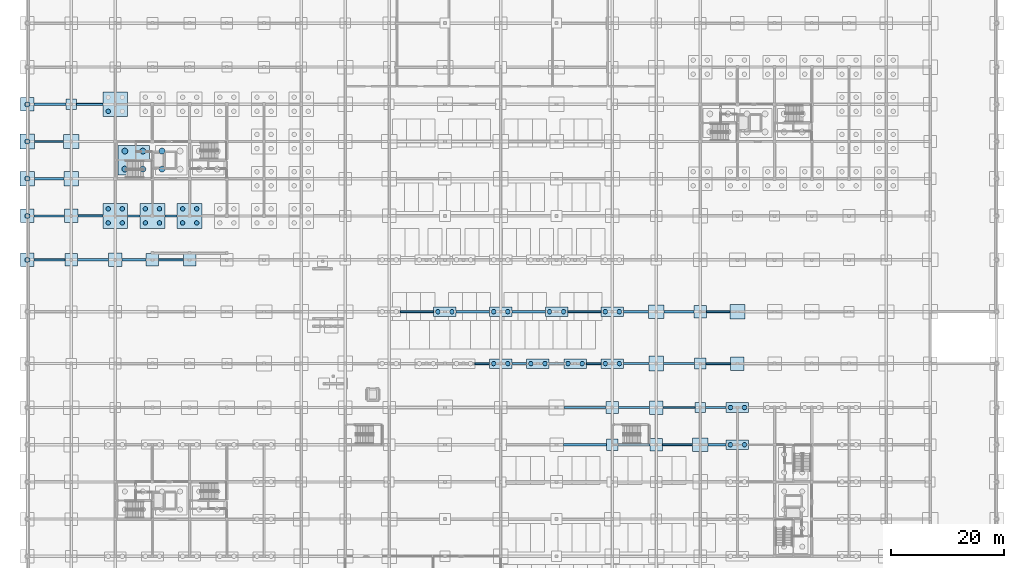
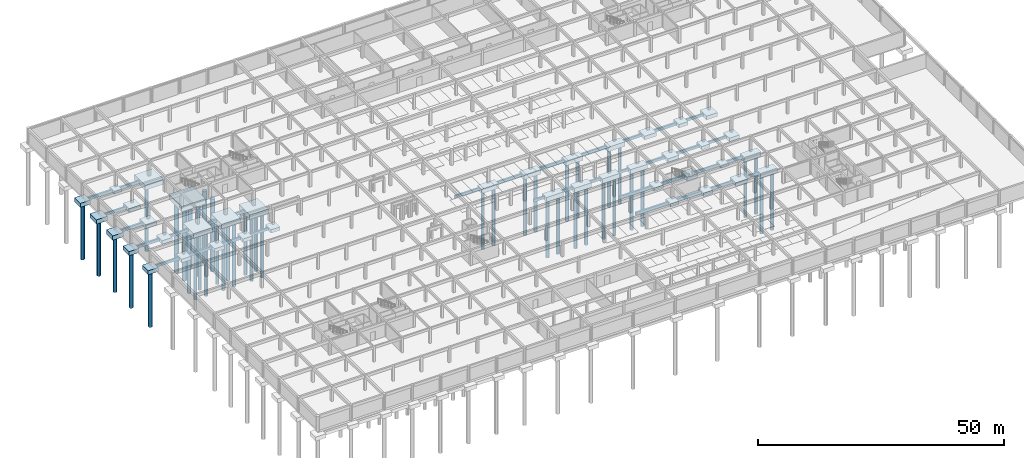
# One storey, part 4 of 37: 74 footings, 44 piles.
"""IFC4 building model written with IfcOpenShell, lengths in metres."""

from ifc_helpers import new_model, si_unit, direction, frame, origin, origin_2d, place, context, subcontext, project, spatial, rectangle, circle, extrude, material, material_profile, profile_set, type_object, element, save


model = new_model("IFC4")

# Units and contexts
model_context = context("Model", 3, precision=1e-05, world=origin(), true_north=direction((0.0, 1.0)))
body_context = subcontext(model_context, "Body", "Model", "MODEL_VIEW")
ifc_project = project(units=[si_unit("LENGTHUNIT", "METRE"), si_unit("AREAUNIT", "SQUARE_METRE"), si_unit("VOLUMEUNIT", "CUBIC_METRE"), si_unit("PLANEANGLEUNIT", "RADIAN"), si_unit("MASSUNIT", "GRAM", prefix="KILO")], contexts=[model_context])

# Site, building, storey
site_placement = place(None, origin())
site = spatial("IfcSite", under=ifc_project, at=site_placement, CompositionType="ELEMENT")
building_placement = place(site_placement, origin())
building = spatial("IfcBuilding", under=site, at=building_placement, Name="Kernevlak Ridge Housing Community", CompositionType="ELEMENT")
storey_placement = place(building_placement, frame((0.0, 0.0, -3.800048828125)))
storey = spatial("IfcBuildingStorey", under=building, at=storey_placement, Name="B1", CompositionType="ELEMENT", Elevation=-3.800048828125)

# Piles
ifc_material = material(Name="Concrete C35/45", Category="concrete")
ifc_material_profile_1 = material_profile(ifc_material, circle(Radius=0.39990234375, at=origin_2d()), Name="BORED PILE 800")
ifc_profile_set_1 = profile_set([ifc_material_profile_1], Name="Concrete C35/45")
pile_type_1 = type_object("IfcPileType", Name="BP-01", PredefinedType="BORED", material=ifc_profile_set_1)
for number, where, z_axis, x_axis, name in (
    (1, (14.35009765625, 74.75, -1.599853515625), (0.0, 0.0, -1.0), (1.0, 0.0, 0.0), "Bored pile BP-01 PILE-0073"),
    (2, (16.85009765625, 74.75, -1.599853515625), (0.0, 0.0, -1.0), (1.0, 0.0, 0.0), "Bored pile BP-01 PILE-0074"),
    (3, (14.35009765625, 77.25, -1.599853515625), (0.0, 0.0, -1.0), (1.0, 0.0, 0.0), "Bored pile BP-01 PILE-0075"),
    (4, (16.85009765625, 77.25, -1.599853515625), (0.0, 0.0, -1.0), (1.0, 0.0, 0.0), "Bored pile BP-01 PILE-0076"),
    (5, (14.35009765625, 94.550048828125, -1.599853515625), (0.0, 0.0, -1.0), (1.0, 0.0, 0.0), "Bored pile BP-01 PILE-0077"),
    (6, (20.949951171875, 74.75, -1.599853515625), (0.0, 0.0, -1.0), (1.0, 0.0, 0.0), "Bored pile BP-01 PILE-0087"),
    (7, (23.449951171875, 74.75, -1.599853515625), (0.0, 0.0, -1.0), (1.0, 0.0, 0.0), "Bored pile BP-01 PILE-0088"),
    (8, (20.949951171875, 77.25, -1.599853515625), (0.0, 0.0, -1.0), (1.0, 0.0, 0.0), "Bored pile BP-01 PILE-0089"),
    (9, (23.449951171875, 77.25, -1.599853515625), (0.0, 0.0, -1.0), (1.0, 0.0, 0.0), "Bored pile BP-01 PILE-0090"),
    (10, (27.550048828125, 74.75, -1.599853515625), (0.0, 0.0, -1.0), (1.0, 0.0, 0.0), "Bored pile BP-01 PILE-0101"),
    (11, (30.050048828125, 74.75, -1.599853515625), (0.0, 0.0, -1.0), (1.0, 0.0, 0.0), "Bored pile BP-01 PILE-0102"),
    (12, (27.550048828125, 77.25, -1.599853515625), (0.0, 0.0, -1.0), (1.0, 0.0, 0.0), "Bored pile BP-01 PILE-0103"),
    (13, (30.050048828125, 77.25, -1.599853515625), (0.0, 0.0, -1.0), (1.0, 0.0, 0.0), "Bored pile BP-01 PILE-0104"),
):
    element("IfcPile", number, at=place(storey_placement, frame(where, z_axis=z_axis, x_axis=x_axis)), inside=storey, type_object=pile_type_1, Name=name, PredefinedType="BORED", context=body_context, shape_type="SweptSolid", body=[
        extrude(circle(Radius=0.39990234375, at=origin_2d()), origin(), (0.0, 0.0, 1.0), 16.0),
    ])
for number, where, z_axis, x_axis, name in (
    (14, (72.85009765625, 59.0, -1.5), (0.0, 0.0, -1.0), (1.0, 0.0, 0.0), "Bored pile BP-01 PILE-0183"),
    (15, (75.35009765625, 59.0, -1.5), (0.0, 0.0, -1.0), (1.0, 0.0, 0.0), "Bored pile BP-01 PILE-0184"),
    (16, (82.75, 49.800048828125, -1.5), (0.0, 0.0, -1.0), (1.0, 0.0, 0.0), "Bored pile BP-01 PILE-0191"),
    (17, (85.25, 49.800048828125, -1.5), (0.0, 0.0, -1.0), (1.0, 0.0, 0.0), "Bored pile BP-01 PILE-0192"),
    (18, (82.75, 59.0, -1.5), (0.0, 0.0, -1.0), (1.0, 0.0, 0.0), "Bored pile BP-01 PILE-0193"),
    (19, (85.25, 59.0, -1.5), (0.0, 0.0, -1.0), (1.0, 0.0, 0.0), "Bored pile BP-01 PILE-0194"),
    (20, (89.35009765625, 49.800048828125, -1.5), (0.0, 0.0, -1.0), (1.0, 0.0, 0.0), "Bored pile BP-01 PILE-0198"),
    (21, (91.85009765625, 49.800048828125, -1.5), (0.0, 0.0, -1.0), (1.0, 0.0, 0.0), "Bored pile BP-01 PILE-0199"),
    (22, (92.64990234375, 59.0, -1.5), (0.0, 0.0, -1.0), (1.0, 0.0, 0.0), "Bored pile BP-01 PILE-0203"),
    (23, (95.14990234375, 59.0, -1.5), (0.0, 0.0, -1.0), (1.0, 0.0, 0.0), "Bored pile BP-01 PILE-0204"),
    (24, (95.949951171875, 49.800048828125, -1.5), (0.0, 0.0, -1.0), (1.0, 0.0, 0.0), "Bored pile BP-01 PILE-0206"),
    (25, (98.449951171875, 49.800048828125, -1.5), (0.0, 0.0, -1.0), (1.0, 0.0, 0.0), "Bored pile BP-01 PILE-0207"),
    (26, (102.550048828125, 49.800048828125, -1.5), (0.0, 0.0, -1.0), (1.0, 0.0, 0.0), "Bored pile BP-01 PILE-0211"),
    (27, (105.050048828125, 49.800048828125, -1.5), (0.0, 0.0, -1.0), (1.0, 0.0, 0.0), "Bored pile BP-01 PILE-0212"),
    (28, (102.550048828125, 59.0, -1.5), (0.0, 0.0, -1.0), (1.0, 0.0, 0.0), "Bored pile BP-01 PILE-0213"),
    (29, (105.050048828125, 59.0, -1.5), (0.0, 0.0, -1.0), (1.0, 0.0, 0.0), "Bored pile BP-01 PILE-0214"),
    (30, (124.75, 35.39990234375, -1.5), (0.0, 0.0, -1.0), (1.0, 0.0, 0.0), "Bored pile BP-01 PILE-0237"),
    (31, (127.25, 35.39990234375, -1.5), (0.0, 0.0, -1.0), (1.0, 0.0, 0.0), "Bored pile BP-01 PILE-0238"),
    (32, (124.75, 42.0, -1.5), (0.0, 0.0, -1.0), (1.0, 0.0, 0.0), "Bored pile BP-01 PILE-0239"),
    (33, (127.25, 42.0, -1.5), (0.0, 0.0, -1.0), (1.0, 0.0, 0.0), "Bored pile BP-01 PILE-0240"),
):
    element("IfcPile", number, at=place(storey_placement, frame(where, z_axis=z_axis, x_axis=x_axis)), inside=storey, type_object=pile_type_1, Name=name, PredefinedType="BORED", context=body_context, shape_type="SweptSolid", body=[
        extrude(circle(Radius=0.39990234375, at=origin_2d()), origin(), (0.0, 0.0, 1.0), 14.5),
    ])
ifc_material_profile_2 = material_profile(ifc_material, circle(Radius=0.449951171875, at=origin_2d()), Name="BORED PILE 900")
ifc_profile_set_2 = profile_set([ifc_material_profile_2], Name="Concrete C35/45")
pile_type_2 = type_object("IfcPileType", Name="BP-02", PredefinedType="BORED", material=ifc_profile_set_2)
for number, where, z_axis, x_axis, name in (
    (34, (0.0, 68.199951171875, -1.349853515625), (0.0, 0.0, -1.0), (1.0, 0.0, 0.0), "Bored pile BP-02 PILE-0058"),
    (35, (0.0, 76.0, -1.349853515625), (0.0, 0.0, -1.0), (1.0, 0.0, 0.0), "Bored pile BP-02 PILE-0059"),
    (36, (0.0, 82.60009765625, -1.39990234375), (0.0, 0.0, -1.0), (1.0, 0.0, 0.0), "Bored pile BP-02 PILE-0060"),
    (37, (0.0, 89.199951171875, -1.39990234375), (0.0, 0.0, -1.0), (1.0, 0.0, 0.0), "Bored pile BP-02 PILE-0061"),
    (38, (0.0, 95.800048828125, -1.349853515625), (0.0, 0.0, -1.0), (1.0, 0.0, 0.0), "Bored pile BP-02 PILE-0062"),
):
    element("IfcPile", number, at=place(storey_placement, frame(where, z_axis=z_axis, x_axis=x_axis)), inside=storey, type_object=pile_type_2, Name=name, PredefinedType="BORED", context=body_context, shape_type="SweptSolid", body=[
        extrude(circle(Radius=0.449951171875, at=origin_2d()), origin(), (0.0, 0.0, 1.0), 14.0),
    ])
ifc_material_profile_3 = material_profile(ifc_material, circle(Radius=0.52490234375, at=origin_2d()), Name="BORED PILE 1050")
ifc_profile_set_3 = profile_set([ifc_material_profile_3], Name="Concrete C35/45")
pile_type_3 = type_object("IfcPileType", Name="BP-03", PredefinedType="BORED", material=ifc_profile_set_3)
for number, where, z_axis, x_axis, name in (
    (39, (17.300048828125, 84.300048828125, -1.64990234375), (0.0, 0.0, -1.0), (1.0, 0.0, 0.0), "Bored pile BP-03 PILE-0001"),
    (40, (20.5, 84.300048828125, -1.64990234375), (0.0, 0.0, -1.0), (1.0, 0.0, 0.0), "Bored pile BP-03 PILE-0002"),
    (41, (17.300048828125, 87.5, -1.64990234375), (0.0, 0.0, -1.0), (1.0, 0.0, 0.0), "Bored pile BP-03 PILE-0003"),
    (42, (20.5, 87.5, -1.64990234375), (0.0, 0.0, -1.0), (1.0, 0.0, 0.0), "Bored pile BP-03 PILE-0004"),
    (43, (23.89990234375, 84.300048828125, -1.64990234375), (0.0, 0.0, -1.0), (1.0, 0.0, 0.0), "Bored pile BP-03 PILE-0005"),
    (44, (23.89990234375, 87.5, -1.64990234375), (0.0, 0.0, -1.0), (1.0, 0.0, 0.0), "Bored pile BP-03 PILE-0007"),
):
    element("IfcPile", number, at=place(storey_placement, frame(where, z_axis=z_axis, x_axis=x_axis)), inside=storey, type_object=pile_type_3, Name=name, PredefinedType="BORED", context=body_context, shape_type="SweptSolid", body=[
        extrude(circle(Radius=0.52490234375, at=origin_2d()), origin(), (0.0, 0.0, 1.0), 18.0),
    ])

# Footings
ifc_material_profile_4 = material_profile(ifc_material, rectangle(XDim=0.39990234375, YDim=0.699951171875, at=origin_2d()), Name="RC 400x700")
ifc_profile_set_4 = profile_set([ifc_material_profile_4], Name="Concrete C35/45")
footing_type_1 = type_object("IfcFootingType", Name="FB-01", PredefinedType="FOOTING_BEAM", material=ifc_profile_set_4)
footing_1_placement = place(storey_placement, frame((104.800048828125, 35.39990234375, -0.800048828125), z_axis=(1.0, 0.0, 0.0), x_axis=(0.0, 1.0, 0.0)))
element("IfcFooting", 45, at=footing_1_placement, inside=storey, type_object=footing_type_1, Name="Ground tie beam FB-01 99", PredefinedType="FOOTING_BEAM", context=body_context, shape_type="SweptSolid", body=[
    extrude(rectangle(XDim=0.39990234375, YDim=0.699951171875, at=origin_2d()), origin(), (0.0, 0.0, 1.0), 5.699951171875),
])
footing_2_placement = place(storey_placement, frame((104.89990234375, 42.0, -0.800048828125), z_axis=(1.0, 0.0, 0.0), x_axis=(0.0, 1.0, 0.0)))
element("IfcFooting", 46, at=footing_2_placement, inside=storey, type_object=footing_type_1, Name="Ground tie beam FB-01 117", PredefinedType="FOOTING_BEAM", context=body_context, shape_type="SweptSolid", body=[
    extrude(rectangle(XDim=0.39990234375, YDim=0.699951171875, at=origin_2d()), origin(), (0.0, 0.0, 1.0), 5.5),
])
footing_3_placement = place(storey_placement, frame((92.60009765625, 49.800048828125, -0.800048828125), z_axis=(1.0, 0.0, 0.0), x_axis=(0.0, 1.0, 0.0)))
element("IfcFooting", 47, at=footing_3_placement, inside=storey, type_object=footing_type_1, Name="Ground tie beam FB-01 138", PredefinedType="FOOTING_BEAM", context=body_context, shape_type="SweptSolid", body=[
    extrude(rectangle(XDim=0.39990234375, YDim=0.699951171875, at=origin_2d()), origin(), (0.0, 0.0, 1.0), 2.599853515625),
])
footing_4_placement = place(storey_placement, frame((112.89990234375, 49.800048828125, -0.800048828125), z_axis=(1.0, 0.0, 0.0), x_axis=(0.0, 1.0, 0.0)))
element("IfcFooting", 48, at=footing_4_placement, inside=storey, type_object=footing_type_1, Name="Ground tie beam FB-01 141", PredefinedType="FOOTING_BEAM", context=body_context, shape_type="SweptSolid", body=[
    extrude(rectangle(XDim=0.39990234375, YDim=0.699951171875, at=origin_2d()), origin(), (0.0, 0.0, 1.0), 5.5),
])
footing_5_placement = place(storey_placement, frame((86.0, 59.0, -0.800048828125), z_axis=(1.0, 0.0, 0.0), x_axis=(0.0, 1.0, 0.0)))
element("IfcFooting", 49, at=footing_5_placement, inside=storey, type_object=footing_type_1, Name="Ground tie beam FB-01 159", PredefinedType="FOOTING_BEAM", context=body_context, shape_type="SweptSolid", body=[
    extrude(rectangle(XDim=0.39990234375, YDim=0.699951171875, at=origin_2d()), origin(), (0.0, 0.0, 1.0), 5.89990234375),
])
footing_6_placement = place(storey_placement, frame((113.0, 59.0, -0.800048828125), z_axis=(1.0, 0.0, 0.0), x_axis=(0.0, 1.0, 0.0)))
element("IfcFooting", 50, at=footing_6_placement, inside=storey, type_object=footing_type_1, Name="Ground tie beam FB-01 162", PredefinedType="FOOTING_BEAM", context=body_context, shape_type="SweptSolid", body=[
    extrude(rectangle(XDim=0.39990234375, YDim=0.699951171875, at=origin_2d()), origin(), (0.0, 0.0, 1.0), 5.300048828125),
])
footing_7_placement = place(storey_placement, frame((16.800048828125, 68.199951171875, -0.800048828125), z_axis=(1.0, 0.0, 0.0), x_axis=(0.0, 1.0, 0.0)))
element("IfcFooting", 51, at=footing_7_placement, inside=storey, type_object=footing_type_1, Name="Ground tie beam FB-01 171", PredefinedType="FOOTING_BEAM", context=body_context, shape_type="SweptSolid", body=[
    extrude(rectangle(XDim=0.39990234375, YDim=0.699951171875, at=origin_2d()), origin(), (0.0, 0.0, 1.0), 4.300048828125),
])
footing_8_placement = place(storey_placement, frame((1.199951171875, 76.0, -0.800048828125), z_axis=(1.0, 0.0, 0.0), x_axis=(0.0, 1.0, 0.0)))
element("IfcFooting", 52, at=footing_8_placement, inside=storey, type_object=footing_type_1, Name="Ground tie beam FB-01 189", PredefinedType="FOOTING_BEAM", context=body_context, shape_type="SweptSolid", body=[
    extrude(rectangle(XDim=0.39990234375, YDim=0.699951171875, at=origin_2d()), origin(), (0.0, 0.0, 1.0), 5.400146484375),
])
footing_9_placement = place(storey_placement, frame((24.39990234375, 76.0, -0.800048828125), z_axis=(1.0, 0.0, 0.0), x_axis=(0.0, 1.0, 0.0)))
element("IfcFooting", 53, at=footing_9_placement, inside=storey, type_object=footing_type_1, Name="Ground tie beam FB-01 192", PredefinedType="FOOTING_BEAM", context=body_context, shape_type="SweptSolid", body=[
    extrude(rectangle(XDim=0.39990234375, YDim=0.699951171875, at=origin_2d()), origin(), (0.0, 0.0, 1.0), 2.2001953125),
])
footing_10_placement = place(storey_placement, frame((1.300048828125, 82.60009765625, -0.800048828125), z_axis=(1.0, 0.0, 0.0), x_axis=(0.0, 1.0, 0.0)))
element("IfcFooting", 54, at=footing_10_placement, inside=storey, type_object=footing_type_1, Name="Ground tie beam FB-01 210", PredefinedType="FOOTING_BEAM", context=body_context, shape_type="SweptSolid", body=[
    extrude(rectangle(XDim=0.39990234375, YDim=0.699951171875, at=origin_2d()), origin(), (0.0, 0.0, 1.0), 5.199951171875),
])
footing_11_placement = place(storey_placement, frame((1.199951171875, 95.800048828125, -0.800048828125), z_axis=(1.0, 0.0, 0.0), x_axis=(0.0, 1.0, 0.0)))
element("IfcFooting", 55, at=footing_11_placement, inside=storey, type_object=footing_type_1, Name="Ground tie beam FB-01 237", PredefinedType="FOOTING_BEAM", context=body_context, shape_type="SweptSolid", body=[
    extrude(rectangle(XDim=0.39990234375, YDim=0.699951171875, at=origin_2d()), origin(), (0.0, 0.0, 1.0), 5.699951171875),
])
ifc_material_profile_5 = material_profile(ifc_material, rectangle(XDim=0.35009765625, YDim=0.64990234375, at=origin_2d()), Name="RC 350x650")
ifc_profile_set_5 = profile_set([ifc_material_profile_5], Name="Concrete C35/45")
footing_type_2 = type_object("IfcFootingType", Name="FB-02", PredefinedType="FOOTING_BEAM", material=ifc_profile_set_5)
footing_12_placement = place(storey_placement, frame((112.699951171875, 35.39990234375, -0.77490234375), z_axis=(1.0, 0.0, 0.0), x_axis=(0.0, 1.0, 0.0)))
element("IfcFooting", 56, at=footing_12_placement, inside=storey, type_object=footing_type_2, Name="Ground tie beam FB-02 100", PredefinedType="FOOTING_BEAM", context=body_context, shape_type="SweptSolid", body=[
    extrude(rectangle(XDim=0.35009765625, YDim=0.64990234375, at=origin_2d()), origin(), (0.0, 0.0, 1.0), 5.300048828125),
])
footing_13_placement = place(storey_placement, frame((112.800048828125, 42.0, -0.77490234375), z_axis=(1.0, 0.0, 0.0), x_axis=(0.0, 1.0, 0.0)))
element("IfcFooting", 57, at=footing_13_placement, inside=storey, type_object=footing_type_2, Name="Ground tie beam FB-02 118", PredefinedType="FOOTING_BEAM", context=body_context, shape_type="SweptSolid", body=[
    extrude(rectangle(XDim=0.35009765625, YDim=0.64990234375, at=origin_2d()), origin(), (0.0, 0.0, 1.0), 5.699951171875),
])
for number, where, z_axis, x_axis, name in (
    (58, (79.39990234375, 49.800048828125, -0.77490234375), (1.0, 0.0, 0.0), (0.0, 1.0, 0.0), "Ground tie beam FB-02 136"),
    (59, (99.199951171875, 49.800048828125, -0.77490234375), (1.0, 0.0, 0.0), (0.0, 1.0, 0.0), "Ground tie beam FB-02 139"),
):
    element("IfcFooting", number, at=place(storey_placement, frame(where, z_axis=z_axis, x_axis=x_axis)), inside=storey, type_object=footing_type_2, Name=name, PredefinedType="FOOTING_BEAM", context=body_context, shape_type="SweptSolid", body=[
        extrude(rectangle(XDim=0.35009765625, YDim=0.64990234375, at=origin_2d()), origin(), (0.0, 0.0, 1.0), 2.60009765625),
    ])
footing_14_placement = place(storey_placement, frame((120.39990234375, 49.800048828125, -0.77490234375), z_axis=(1.0, 0.0, 0.0), x_axis=(0.0, 1.0, 0.0)))
element("IfcFooting", 60, at=footing_14_placement, inside=storey, type_object=footing_type_2, Name="Ground tie beam FB-02 142", PredefinedType="FOOTING_BEAM", context=body_context, shape_type="SweptSolid", body=[
    extrude(rectangle(XDim=0.35009765625, YDim=0.64990234375, at=origin_2d()), origin(), (0.0, 0.0, 1.0), 4.400146484375),
])
for number, where, z_axis, x_axis, name in (
    (61, (66.199951171875, 59.0, -0.77490234375), (1.0, 0.0, 0.0), (0.0, 1.0, 0.0), "Ground tie beam FB-02 157"),
    (62, (95.89990234375, 59.0, -0.77490234375), (1.0, 0.0, 0.0), (0.0, 1.0, 0.0), "Ground tie beam FB-02 160"),
):
    element("IfcFooting", number, at=place(storey_placement, frame(where, z_axis=z_axis, x_axis=x_axis)), inside=storey, type_object=footing_type_2, Name=name, PredefinedType="FOOTING_BEAM", context=body_context, shape_type="SweptSolid", body=[
        extrude(rectangle(XDim=0.35009765625, YDim=0.64990234375, at=origin_2d()), origin(), (0.0, 0.0, 1.0), 5.900146484375),
    ])
footing_15_placement = place(storey_placement, frame((120.5, 59.0, -0.77490234375), z_axis=(1.0, 0.0, 0.0), x_axis=(0.0, 1.0, 0.0)))
element("IfcFooting", 63, at=footing_15_placement, inside=storey, type_object=footing_type_2, Name="Ground tie beam FB-02 163", PredefinedType="FOOTING_BEAM", context=body_context, shape_type="SweptSolid", body=[
    extrude(rectangle(XDim=0.35009765625, YDim=0.64990234375, at=origin_2d()), origin(), (0.0, 0.0, 1.0), 4.199951171875),
])
footing_16_placement = place(storey_placement, frame((1.199951171875, 68.199951171875, -0.77490234375), z_axis=(1.0, 0.0, 0.0), x_axis=(0.0, 1.0, 0.0)))
element("IfcFooting", 64, at=footing_16_placement, inside=storey, type_object=footing_type_2, Name="Ground tie beam FB-02 169", PredefinedType="FOOTING_BEAM", context=body_context, shape_type="SweptSolid", body=[
    extrude(rectangle(XDim=0.35009765625, YDim=0.64990234375, at=origin_2d()), origin(), (0.0, 0.0, 1.0), 5.5),
])
for number, where, z_axis, x_axis, name in (
    (65, (23.300048828125, 68.199951171875, -0.77490234375), (1.0, 0.0, 0.0), (0.0, 1.0, 0.0), "Ground tie beam FB-02 172"),
    (66, (9.0, 76.0, -0.77490234375), (1.0, 0.0, 0.0), (0.0, 1.0, 0.0), "Ground tie beam FB-02 190"),
):
    element("IfcFooting", number, at=place(storey_placement, frame(where, z_axis=z_axis, x_axis=x_axis)), inside=storey, type_object=footing_type_2, Name=name, PredefinedType="FOOTING_BEAM", context=body_context, shape_type="SweptSolid", body=[
        extrude(rectangle(XDim=0.35009765625, YDim=0.64990234375, at=origin_2d()), origin(), (0.0, 0.0, 1.0), 4.39990234375),
    ])
footing_17_placement = place(storey_placement, frame((1.300048828125, 89.199951171875, -0.77490234375), z_axis=(1.0, 0.0, 0.0), x_axis=(0.0, 1.0, 0.0)))
element("IfcFooting", 67, at=footing_17_placement, inside=storey, type_object=footing_type_2, Name="Ground tie beam FB-02 226", PredefinedType="FOOTING_BEAM", context=body_context, shape_type="SweptSolid", body=[
    extrude(rectangle(XDim=0.35009765625, YDim=0.64990234375, at=origin_2d()), origin(), (0.0, 0.0, 1.0), 5.099853515625),
])
footing_18_placement = place(storey_placement, frame((8.699951171875, 95.800048828125, -0.77490234375), z_axis=(1.0, 0.0, 0.0), x_axis=(0.0, 1.0, 0.0)))
element("IfcFooting", 68, at=footing_18_placement, inside=storey, type_object=footing_type_2, Name="Ground tie beam FB-02 238", PredefinedType="FOOTING_BEAM", context=body_context, shape_type="SweptSolid", body=[
    extrude(rectangle(XDim=0.35009765625, YDim=0.64990234375, at=origin_2d()), origin(), (0.0, 0.0, 1.0), 4.699951171875),
])
ifc_material_profile_6 = material_profile(ifc_material, rectangle(XDim=0.39990234375, YDim=0.64990234375, at=origin_2d()), Name="RC 400x650")
ifc_profile_set_6 = profile_set([ifc_material_profile_6], Name="Concrete C35/45")
footing_type_3 = type_object("IfcFootingType", Name="FB-03", PredefinedType="FOOTING_BEAM", material=ifc_profile_set_6)
footing_19_placement = place(storey_placement, frame((95.10009765625, 35.39990234375, -0.77490234375), z_axis=(1.0, 0.0, 0.0), x_axis=(0.0, 1.0, 0.0)))
element("IfcFooting", 69, at=footing_19_placement, inside=storey, type_object=footing_type_3, Name="Ground tie beam FB-03 98", PredefinedType="FOOTING_BEAM", context=body_context, shape_type="SweptSolid", body=[
    extrude(rectangle(XDim=0.39990234375, YDim=0.64990234375, at=origin_2d()), origin(), (0.0, 0.0, 1.0), 7.699951171875),
])
footing_20_placement = place(storey_placement, frame((120.800048828125, 35.39990234375, -0.77490234375), z_axis=(1.0, 0.0, 0.0), x_axis=(0.0, 1.0, 0.0)))
element("IfcFooting", 70, at=footing_20_placement, inside=storey, type_object=footing_type_3, Name="Ground tie beam FB-03 101", PredefinedType="FOOTING_BEAM", context=body_context, shape_type="SweptSolid", body=[
    extrude(rectangle(XDim=0.39990234375, YDim=0.64990234375, at=origin_2d()), origin(), (0.0, 0.0, 1.0), 3.199951171875),
])
footing_21_placement = place(storey_placement, frame((95.199951171875, 42.0, -0.77490234375), z_axis=(1.0, 0.0, 0.0), x_axis=(0.0, 1.0, 0.0)))
element("IfcFooting", 71, at=footing_21_placement, inside=storey, type_object=footing_type_3, Name="Ground tie beam FB-03 116", PredefinedType="FOOTING_BEAM", context=body_context, shape_type="SweptSolid", body=[
    extrude(rectangle(XDim=0.39990234375, YDim=0.64990234375, at=origin_2d()), origin(), (0.0, 0.0, 1.0), 7.5),
])
footing_22_placement = place(storey_placement, frame((120.300048828125, 42.0, -0.77490234375), z_axis=(1.0, 0.0, 0.0), x_axis=(0.0, 1.0, 0.0)))
element("IfcFooting", 72, at=footing_22_placement, inside=storey, type_object=footing_type_3, Name="Ground tie beam FB-03 119", PredefinedType="FOOTING_BEAM", context=body_context, shape_type="SweptSolid", body=[
    extrude(rectangle(XDim=0.39990234375, YDim=0.64990234375, at=origin_2d()), origin(), (0.0, 0.0, 1.0), 3.699951171875),
])
footing_23_placement = place(storey_placement, frame((86.0, 49.800048828125, -0.77490234375), z_axis=(1.0, 0.0, 0.0), x_axis=(0.0, 1.0, 0.0)))
element("IfcFooting", 73, at=footing_23_placement, inside=storey, type_object=footing_type_3, Name="Ground tie beam FB-03 137", PredefinedType="FOOTING_BEAM", context=body_context, shape_type="SweptSolid", body=[
    extrude(rectangle(XDim=0.39990234375, YDim=0.64990234375, at=origin_2d()), origin(), (0.0, 0.0, 1.0), 2.60009765625),
])
footing_24_placement = place(storey_placement, frame((105.800048828125, 49.800048828125, -0.77490234375), z_axis=(1.0, 0.0, 0.0), x_axis=(0.0, 1.0, 0.0)))
element("IfcFooting", 74, at=footing_24_placement, inside=storey, type_object=footing_type_3, Name="Ground tie beam FB-03 140", PredefinedType="FOOTING_BEAM", context=body_context, shape_type="SweptSolid", body=[
    extrude(rectangle(XDim=0.39990234375, YDim=0.64990234375, at=origin_2d()), origin(), (0.0, 0.0, 1.0), 4.5),
])
footing_25_placement = place(storey_placement, frame((76.10009765625, 59.0, -0.77490234375), z_axis=(1.0, 0.0, 0.0), x_axis=(0.0, 1.0, 0.0)))
element("IfcFooting", 75, at=footing_25_placement, inside=storey, type_object=footing_type_3, Name="Ground tie beam FB-03 158", PredefinedType="FOOTING_BEAM", context=body_context, shape_type="SweptSolid", body=[
    extrude(rectangle(XDim=0.39990234375, YDim=0.64990234375, at=origin_2d()), origin(), (0.0, 0.0, 1.0), 5.89990234375),
])
footing_26_placement = place(storey_placement, frame((105.800048828125, 59.0, -0.77490234375), z_axis=(1.0, 0.0, 0.0), x_axis=(0.0, 1.0, 0.0)))
element("IfcFooting", 76, at=footing_26_placement, inside=storey, type_object=footing_type_3, Name="Ground tie beam FB-03 161", PredefinedType="FOOTING_BEAM", context=body_context, shape_type="SweptSolid", body=[
    extrude(rectangle(XDim=0.39990234375, YDim=0.64990234375, at=origin_2d()), origin(), (0.0, 0.0, 1.0), 4.39990234375),
])
footing_27_placement = place(storey_placement, frame((8.89990234375, 68.199951171875, -0.77490234375), z_axis=(1.0, 0.0, 0.0), x_axis=(0.0, 1.0, 0.0)))
element("IfcFooting", 77, at=footing_27_placement, inside=storey, type_object=footing_type_3, Name="Ground tie beam FB-03 170", PredefinedType="FOOTING_BEAM", context=body_context, shape_type="SweptSolid", body=[
    extrude(rectangle(XDim=0.39990234375, YDim=0.64990234375, at=origin_2d()), origin(), (0.0, 0.0, 1.0), 5.5),
])
footing_28_placement = place(storey_placement, frame((17.800048828125, 76.0, -0.77490234375), z_axis=(1.0, 0.0, 0.0), x_axis=(0.0, 1.0, 0.0)))
element("IfcFooting", 78, at=footing_28_placement, inside=storey, type_object=footing_type_3, Name="Ground tie beam FB-03 191", PredefinedType="FOOTING_BEAM", context=body_context, shape_type="SweptSolid", body=[
    extrude(rectangle(XDim=0.39990234375, YDim=0.64990234375, at=origin_2d()), origin(), (0.0, 0.0, 1.0), 2.199951171875),
])
footing_type_4 = type_object("IfcFootingType", Name="FC-01", PredefinedType="PILE_CAP", material=ifc_material)
for number, where, z_axis, x_axis, name in (
    (79, (0.0, 68.199951171875, -1.449951171875), (0.0, 0.0, 1.0), (1.0, 0.0, 0.0), "Footing FC-01 FTG-CAP-022"),
    (80, (0.0, 76.0, -1.449951171875), (0.0, 0.0, 1.0), (1.0, 0.0, 0.0), "Footing FC-01 FTG-CAP-023"),
    (81, (0.0, 95.800048828125, -1.449951171875), (0.0, 0.0, 1.0), (1.0, 0.0, 0.0), "Footing FC-01 FTG-CAP-026"),
):
    element("IfcFooting", number, at=place(storey_placement, frame(where, z_axis=z_axis, x_axis=x_axis)), inside=storey, type_object=footing_type_4, Name=name, PredefinedType="PILE_CAP", context=body_context, shape_type="SweptSolid", body=[
        extrude(rectangle(XDim=2.39990234375, YDim=2.39990234375, at=origin_2d()), origin(), (0.0, 0.0, 1.0), 1.0),
    ])
footing_type_5 = type_object("IfcFootingType", Name="FC-04", PredefinedType="PILE_CAP", material=ifc_material)
for number, where, z_axis, x_axis, name in (
    (82, (15.60009765625, 76.0, -1.699951171875), (0.0, 0.0, 1.0), (1.0, 0.0, 0.0), "Footing FC-04 FTG-CAP-055"),
    (83, (15.60009765625, 95.800048828125, -1.699951171875), (0.0, 0.0, 1.0), (1.0, 0.0, 0.0), "Footing FC-04 FTG-CAP-056"),
    (84, (22.199951171875, 76.0, -1.699951171875), (0.0, 0.0, 1.0), (1.0, 0.0, 0.0), "Footing FC-04 FTG-CAP-068"),
    (85, (28.800048828125, 76.0, -1.699951171875), (0.0, 0.0, 1.0), (1.0, 0.0, 0.0), "Footing FC-04 FTG-CAP-081"),
):
    element("IfcFooting", number, at=place(storey_placement, frame(where, z_axis=z_axis, x_axis=x_axis)), inside=storey, type_object=footing_type_5, Name=name, PredefinedType="PILE_CAP", context=body_context, shape_type="SweptSolid", body=[
        extrude(rectangle(XDim=4.39990234375, YDim=4.39990234375, at=origin_2d()), origin(), (0.0, 0.0, 1.0), 1.25),
    ])
footing_type_6 = type_object("IfcFootingType", Name="FC-05", PredefinedType="PILE_CAP", material=ifc_material)
footing_29_placement = place(storey_placement, frame((18.89990234375, 85.89990234375, -1.75), z_axis=(0.0, 0.0, 1.0), x_axis=(1.0, 0.0, 0.0)))
element("IfcFooting", 86, at=footing_29_placement, inside=storey, type_object=footing_type_6, Name="Footing FC-05 FTG-CAP-001", PredefinedType="PILE_CAP", context=body_context, shape_type="SweptSolid", body=[
    extrude(rectangle(XDim=5.60009765625, YDim=5.199951171875, at=origin_2d()), origin(), (0.0, 0.0, 1.0), 1.300048828125),
])
footing_type_7 = type_object("IfcFootingType", Name="FC-07", PredefinedType="PILE_CAP", material=ifc_material)
for number, where, z_axis, x_axis, name in (
    (87, (74.10009765625, 59.0, -1.599853515625), (0.0, 0.0, 1.0), (1.0, 0.0, 0.0), "Footing FC-07 FTG-CAP-185"),
    (88, (84.0, 49.800048828125, -1.599853515625), (0.0, 0.0, 1.0), (1.0, 0.0, 0.0), "Footing FC-07 FTG-CAP-205"),
    (89, (84.0, 59.0, -1.599853515625), (0.0, 0.0, 1.0), (1.0, 0.0, 0.0), "Footing FC-07 FTG-CAP-206"),
    (90, (90.60009765625, 49.800048828125, -1.599853515625), (0.0, 0.0, 1.0), (1.0, 0.0, 0.0), "Footing FC-07 FTG-CAP-216"),
    (91, (93.89990234375, 59.0, -1.599853515625), (0.0, 0.0, 1.0), (1.0, 0.0, 0.0), "Footing FC-07 FTG-CAP-226"),
    (92, (97.199951171875, 49.800048828125, -1.599853515625), (0.0, 0.0, 1.0), (1.0, 0.0, 0.0), "Footing FC-07 FTG-CAP-235"),
    (93, (103.800048828125, 49.800048828125, -1.599853515625), (0.0, 0.0, 1.0), (1.0, 0.0, 0.0), "Footing FC-07 FTG-CAP-246"),
    (94, (103.800048828125, 59.0, -1.599853515625), (0.0, 0.0, 1.0), (1.0, 0.0, 0.0), "Footing FC-07 FTG-CAP-247"),
    (95, (126.0, 35.39990234375, -1.599853515625), (0.0, 0.0, 1.0), (1.0, 0.0, 0.0), "Footing FC-07 FTG-CAP-294"),
    (96, (126.0, 42.0, -1.599853515625), (0.0, 0.0, 1.0), (1.0, 0.0, 0.0), "Footing FC-07 FTG-CAP-295"),
):
    element("IfcFooting", number, at=place(storey_placement, frame(where, z_axis=z_axis, x_axis=x_axis)), inside=storey, type_object=footing_type_7, Name=name, PredefinedType="PILE_CAP", context=body_context, shape_type="SweptSolid", body=[
        extrude(rectangle(XDim=4.0, YDim=1.699951171875, at=origin_2d()), origin(), (0.0, 0.0, 1.0), 1.14990234375),
    ])
footing_type_8 = type_object("IfcFootingType", Name="FC-08", PredefinedType="PILE_CAP", material=ifc_material)
for number, where, z_axis, x_axis, name in (
    (97, (0.0, 82.60009765625, -1.5), (0.0, 0.0, 1.0), (1.0, 0.0, 0.0), "Footing FC-08 FTG-CAP-024"),
    (98, (0.0, 89.199951171875, -1.5), (0.0, 0.0, 1.0), (1.0, 0.0, 0.0), "Footing FC-08 FTG-CAP-025"),
):
    element("IfcFooting", number, at=place(storey_placement, frame(where, z_axis=z_axis, x_axis=x_axis)), inside=storey, type_object=footing_type_8, Name=name, PredefinedType="PILE_CAP", context=body_context, shape_type="SweptSolid", body=[
        extrude(rectangle(XDim=2.60009765625, YDim=2.60009765625, at=origin_2d()), origin(), (0.0, 0.0, 1.0), 1.050048828125),
    ])
footing_type_9 = type_object("IfcFootingType", Name="PF-01", PredefinedType="PAD_FOOTING", material=ifc_material)
for number, where, z_axis, x_axis, name in (
    (99, (7.800048828125, 95.800048828125, -1.199951171875), (0.0, 0.0, 1.0), (1.0, 0.0, 0.0), "Footing PF-01 FTG-CAP-043"),
    (100, (119.39990234375, 42.0, -1.199951171875), (0.0, 0.0, 1.0), (1.0, 0.0, 0.0), "Footing PF-01 FTG-CAP-280"),
):
    element("IfcFooting", number, at=place(storey_placement, frame(where, z_axis=z_axis, x_axis=x_axis)), inside=storey, type_object=footing_type_9, Name=name, PredefinedType="PAD_FOOTING", context=body_context, shape_type="SweptSolid", body=[
        extrude(rectangle(XDim=1.800048828125, YDim=1.800048828125, at=origin_2d()), origin(), (0.0, 0.0, 1.0), 0.75),
    ])
footing_type_10 = type_object("IfcFootingType", Name="PF-02", PredefinedType="PAD_FOOTING", material=ifc_material)
for number, where, z_axis, x_axis, name in (
    (101, (103.800048828125, 35.39990234375, -1.25), (0.0, 0.0, 1.0), (1.0, 0.0, 0.0), "Footing PF-02 FTG-CAP-244"),
    (102, (119.39990234375, 49.800048828125, -1.25), (0.0, 0.0, 1.0), (1.0, 0.0, 0.0), "Footing PF-02 FTG-CAP-281"),
):
    element("IfcFooting", number, at=place(storey_placement, frame(where, z_axis=z_axis, x_axis=x_axis)), inside=storey, type_object=footing_type_10, Name=name, PredefinedType="PAD_FOOTING", context=body_context, shape_type="SweptSolid", body=[
        extrude(rectangle(XDim=2.0, YDim=2.0, at=origin_2d()), origin(), (0.0, 0.0, 1.0), 0.800048828125),
    ])
footing_type_11 = type_object("IfcFootingType", Name="PF-03", PredefinedType="PAD_FOOTING", material=ifc_material)
for number, where, z_axis, x_axis, name in (
    (103, (7.800048828125, 68.199951171875, -1.300048828125), (0.0, 0.0, 1.0), (1.0, 0.0, 0.0), "Footing PF-03 FTG-CAP-039"),
    (104, (22.199951171875, 68.199951171875, -1.300048828125), (0.0, 0.0, 1.0), (1.0, 0.0, 0.0), "Footing PF-03 FTG-CAP-067"),
    (105, (28.800048828125, 68.199951171875, -1.300048828125), (0.0, 0.0, 1.0), (1.0, 0.0, 0.0), "Footing PF-03 FTG-CAP-080"),
    (106, (103.800048828125, 42.0, -1.300048828125), (0.0, 0.0, 1.0), (1.0, 0.0, 0.0), "Footing PF-03 FTG-CAP-245"),
    (107, (111.60009765625, 35.39990234375, -1.300048828125), (0.0, 0.0, 1.0), (1.0, 0.0, 0.0), "Footing PF-03 FTG-CAP-262"),
    (108, (119.39990234375, 59.0, -1.300048828125), (0.0, 0.0, 1.0), (1.0, 0.0, 0.0), "Footing PF-03 FTG-CAP-282"),
):
    element("IfcFooting", number, at=place(storey_placement, frame(where, z_axis=z_axis, x_axis=x_axis)), inside=storey, type_object=footing_type_11, Name=name, PredefinedType="PAD_FOOTING", context=body_context, shape_type="SweptSolid", body=[
        extrude(rectangle(XDim=2.199951171875, YDim=2.199951171875, at=origin_2d()), origin(), (0.0, 0.0, 1.0), 0.85009765625),
    ])
footing_type_12 = type_object("IfcFootingType", Name="PF-04", PredefinedType="PAD_FOOTING", material=ifc_material)
for number, where, z_axis, x_axis, name in (
    (109, (7.800048828125, 76.0, -1.349853515625), (0.0, 0.0, 1.0), (1.0, 0.0, 0.0), "Footing PF-04 FTG-CAP-040"),
    (110, (15.60009765625, 68.199951171875, -1.349853515625), (0.0, 0.0, 1.0), (1.0, 0.0, 0.0), "Footing PF-04 FTG-CAP-054"),
    (111, (111.60009765625, 42.0, -1.349853515625), (0.0, 0.0, 1.0), (1.0, 0.0, 0.0), "Footing PF-04 FTG-CAP-263"),
    (112, (126.0, 49.800048828125, -1.349853515625), (0.0, 0.0, 1.0), (1.0, 0.0, 0.0), "Footing PF-04 FTG-CAP-296"),
):
    element("IfcFooting", number, at=place(storey_placement, frame(where, z_axis=z_axis, x_axis=x_axis)), inside=storey, type_object=footing_type_12, Name=name, PredefinedType="PAD_FOOTING", context=body_context, shape_type="SweptSolid", body=[
        extrude(rectangle(XDim=2.39990234375, YDim=2.39990234375, at=origin_2d()), origin(), (0.0, 0.0, 1.0), 0.89990234375),
    ])
footing_type_13 = type_object("IfcFootingType", Name="PF-05", PredefinedType="PAD_FOOTING", material=ifc_material)
for number, where, z_axis, x_axis, name in (
    (113, (7.800048828125, 82.60009765625, -1.39990234375), (0.0, 0.0, 1.0), (1.0, 0.0, 0.0), "Footing PF-05 FTG-CAP-041"),
    (114, (111.60009765625, 49.800048828125, -1.39990234375), (0.0, 0.0, 1.0), (1.0, 0.0, 0.0), "Footing PF-05 FTG-CAP-264"),
    (115, (126.0, 59.0, -1.39990234375), (0.0, 0.0, 1.0), (1.0, 0.0, 0.0), "Footing PF-05 FTG-CAP-297"),
):
    element("IfcFooting", number, at=place(storey_placement, frame(where, z_axis=z_axis, x_axis=x_axis)), inside=storey, type_object=footing_type_13, Name=name, PredefinedType="PAD_FOOTING", context=body_context, shape_type="SweptSolid", body=[
        extrude(rectangle(XDim=2.60009765625, YDim=2.60009765625, at=origin_2d()), origin(), (0.0, 0.0, 1.0), 0.949951171875),
    ])
footing_type_14 = type_object("IfcFootingType", Name="PF-06", PredefinedType="PAD_FOOTING", material=ifc_material)
for number, where, z_axis, x_axis, name in (
    (116, (7.800048828125, 89.199951171875, -1.349853515625), (0.0, 0.0, 1.0), (1.0, 0.0, 0.0), "Footing PF-06 FTG-CAP-042"),
    (117, (111.60009765625, 59.0, -1.349853515625), (0.0, 0.0, 1.0), (1.0, 0.0, 0.0), "Footing PF-06 FTG-CAP-265"),
    (118, (119.39990234375, 35.39990234375, -1.349853515625), (0.0, 0.0, 1.0), (1.0, 0.0, 0.0), "Footing PF-06 FTG-CAP-279"),
):
    element("IfcFooting", number, at=place(storey_placement, frame(where, z_axis=z_axis, x_axis=x_axis)), inside=storey, type_object=footing_type_14, Name=name, PredefinedType="PAD_FOOTING", context=body_context, shape_type="SweptSolid", body=[
        extrude(rectangle(XDim=2.800048828125, YDim=2.39990234375, at=origin_2d()), origin(), (0.0, 0.0, 1.0), 0.89990234375),
    ])

save(model, "model.ifc")
